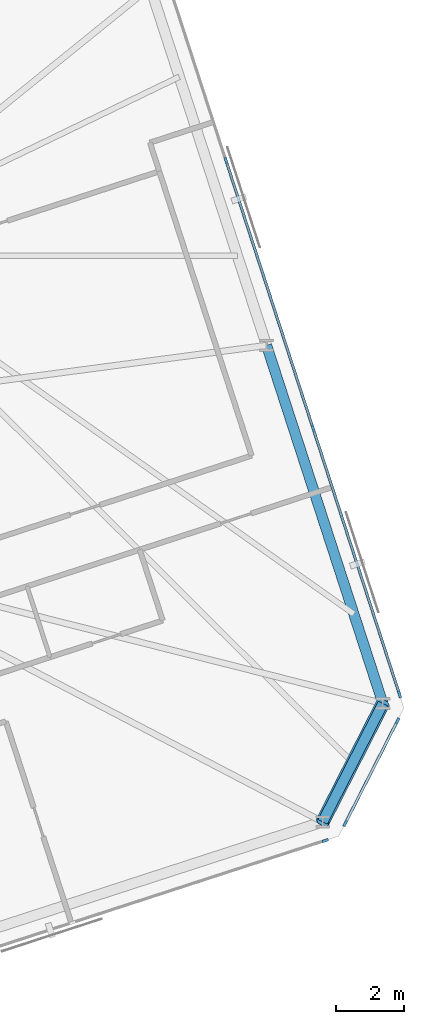
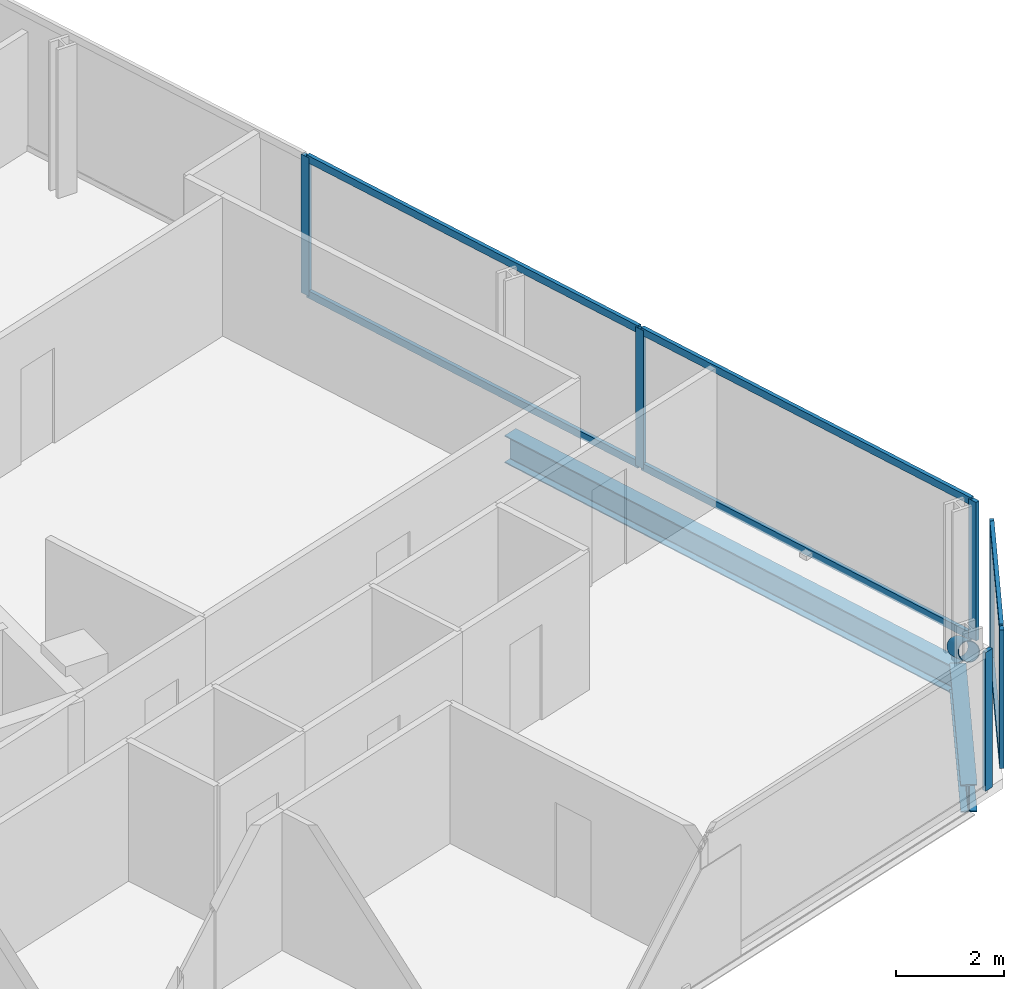
# One storey, part 11 of 20: 13 members, 2 beams, 3 elements without a shape of their own.
"""IFC4 building model written with IfcOpenShell, lengths in metres."""

from ifc_helpers import new_model, si_unit, direction, frame, origin, origin_2d, place, context, subcontext, project, spatial, rectangle, hollow_circle, i_section, extrude, material, material_profile, profile_set, type_object, element, aggregate, save


model = new_model("IFC4")

# Units and contexts
model_context = context("Model", 3, precision=1e-05, world=origin(), true_north=direction((0.0, 1.0)))
body_context = subcontext(model_context, "Body", "Model", "MODEL_VIEW")
ifc_project = project(units=[si_unit("LENGTHUNIT", "METRE"), si_unit("AREAUNIT", "SQUARE_METRE"), si_unit("VOLUMEUNIT", "CUBIC_METRE"), si_unit("PLANEANGLEUNIT", "RADIAN"), si_unit("MASSUNIT", "GRAM", prefix="KILO")], contexts=[model_context])

# Site, building, storey
site_placement = place(None, origin())
site = spatial("IfcSite", under=ifc_project, at=site_placement, CompositionType="ELEMENT")
building_placement = place(site_placement, origin())
building = spatial("IfcBuilding", under=site, at=building_placement, Name="Menara Jurai Vektor", CompositionType="ELEMENT")
storey_placement = place(building_placement, frame((0.0, 0.0, 227.64990234375)))
storey = spatial("IfcBuildingStorey", under=building, at=storey_placement, Name="L60", CompositionType="ELEMENT", Elevation=227.64990234375)

# Curtain wall, member
ifc_material_1 = material(Name="Anodised Pale Aluminium & Low-E Double Glazing", Category="aluminium")
curtain_wall_type = type_object("IfcCurtainWallType", Name="CW-BLK4", PredefinedType="NOTDEFINED", material=ifc_material_1)
curtain_wall_1_placement = place(storey_placement, origin())
curtain_wall_1 = element("IfcCurtainWall", 1, at=curtain_wall_1_placement, inside=storey, type_object=curtain_wall_type, Name="Unitised Curtain Wall L60 F01", PredefinedType="NOTDEFINED")
ifc_material_2 = material(Name="Anodised Pale Aluminium Mullion", Category="aluminium")
ifc_material_profile_1 = material_profile(ifc_material_2, rectangle(XDim=0.080078125, YDim=0.18994140625, at=origin_2d()), Name="ALU MUL 80x190")
ifc_profile_set_1 = profile_set([ifc_material_profile_1], Name="Anodised Pale Aluminium Mullion")
member_type_1 = type_object("IfcMemberType", Name="CW-BLK4-MUL", PredefinedType="MULLION", material=ifc_profile_set_1)
member_1_placement = place(storey_placement, frame((29.810546875, -12.698486328125, 0.0), z_axis=(0.0, 0.0, 1.0), x_axis=(-0.309017344167, 0.951056402641, 0.0)))
member_1 = element("IfcMember", 2, at=member_1_placement, type_object=member_type_1, Name="CW-04 mullion 8", PredefinedType="MULLION", context=body_context, shape_type="SweptSolid", body=[
    extrude(rectangle(XDim=0.080078125, YDim=0.18994140625, at=origin_2d()), origin(), (0.0, 0.0, 1.0), 3.125),
])
aggregate(curtain_wall_1, [member_1])

# Curtain wall, members
curtain_wall_2_placement = place(storey_placement, origin())
curtain_wall_2 = element("IfcCurtainWall", 3, at=curtain_wall_2_placement, inside=storey, type_object=curtain_wall_type, Name="Unitised Curtain Wall L60 F02", PredefinedType="NOTDEFINED")
member_2_placement = place(storey_placement, frame((30.400634765625, -12.194580078125, 0.0), z_axis=(0.0, 0.0, 1.0), x_axis=(-0.89100750243, 0.453988579828, 0.0)))
member_2 = element("IfcMember", 4, at=member_2_placement, type_object=member_type_1, Name="CW-04 mullion 1", PredefinedType="MULLION", context=body_context, shape_type="SweptSolid", body=[
    extrude(rectangle(XDim=0.080078125, YDim=0.18994140625, at=origin_2d()), origin(), (0.0, 0.0, 1.0), 3.125),
])
member_3_placement = place(storey_placement, frame((31.9453125, -9.16259765625, 0.0), z_axis=(0.0, 0.0, 1.0), x_axis=(-0.89100750243, 0.453988579828, 0.0)))
member_3 = element("IfcMember", 5, at=member_3_placement, type_object=member_type_1, Name="CW-04 mullion 2", PredefinedType="MULLION", context=body_context, shape_type="SweptSolid", body=[
    extrude(rectangle(XDim=0.080078125, YDim=0.18994140625, at=origin_2d()), origin(), (0.0, 0.0, 1.0), 3.125),
])

curtain_wall_3_placement = place(storey_placement, origin())
curtain_wall_3 = element("IfcCurtainWall", 6, at=curtain_wall_3_placement, inside=storey, type_object=curtain_wall_type, Name="Unitised Curtain Wall L60 F03", PredefinedType="NOTDEFINED")
member_4_placement = place(storey_placement, frame((32.00634765625, -8.388916015625, 0.0), z_axis=(0.0, 0.0, 1.0), x_axis=(-0.95105668295, -0.309016481464, 0.0)))
member_4 = element("IfcMember", 7, at=member_4_placement, type_object=member_type_1, Name="CW-04 mullion 1", PredefinedType="MULLION", context=body_context, shape_type="SweptSolid", body=[
    extrude(rectangle(XDim=0.080078125, YDim=0.18994140625, at=origin_2d()), origin(), (0.0, 0.0, 1.0), 3.125),
])
member_5_placement = place(storey_placement, frame((29.45068359375, -0.523681640625, 0.0), z_axis=(0.0, 0.0, 1.0), x_axis=(-0.95105668295, -0.309016481464, 0.0)))
member_5 = element("IfcMember", 8, at=member_5_placement, type_object=member_type_1, Name="CW-04 mullion 2", PredefinedType="MULLION", context=body_context, shape_type="SweptSolid", body=[
    extrude(rectangle(XDim=0.080078125, YDim=0.18994140625, at=origin_2d()), origin(), (0.0, 0.0, 1.0), 3.125),
])
member_6_placement = place(storey_placement, frame((26.8828125, 7.379638671875, 0.0), z_axis=(0.0, 0.0, 1.0), x_axis=(-0.95105668295, -0.309016481464, 0.0)))
member_6 = element("IfcMember", 9, at=member_6_placement, type_object=member_type_1, Name="CW-04 mullion 3", PredefinedType="MULLION", context=body_context, shape_type="SweptSolid", body=[
    extrude(rectangle(XDim=0.080078125, YDim=0.18994140625, at=origin_2d()), origin(), (0.0, 0.0, 1.0), 3.125),
])

# Member
ifc_material_3 = material(Name="Anodised Pale Aluminium Transom", Category="aluminium")
ifc_material_profile_2 = material_profile(ifc_material_3, rectangle(XDim=0.080078125, YDim=0.1650390625, at=origin_2d()), Name="ALU TRN 80x165")
ifc_profile_set_2 = profile_set([ifc_material_profile_2], Name="Anodised Pale Aluminium Transom")
member_type_2 = type_object("IfcMemberType", Name="CW-BLK4-TRN", PredefinedType="USERDEFINED", material=ifc_profile_set_2)
member_7_placement = place(storey_placement, frame((30.418701171875, -12.158935546875, 0.0400390625), z_axis=(0.453989617444, 0.89100697374, 0.0), x_axis=(-0.89100697374, 0.453989617444, 0.0)))
member_7 = element("IfcMember", 10, at=member_7_placement, type_object=member_type_2, Name="CW-04 transom 1.1", ObjectType="TRANSOM", PredefinedType="USERDEFINED", context=body_context, shape_type="SweptSolid", body=[
    extrude(rectangle(XDim=0.080078125, YDim=0.1650390625, at=origin_2d()), origin(), (0.0, 0.0, 1.0), 3.32275390625),
])

member_8_placement = place(storey_placement, frame((30.418701171875, -12.158935546875, 3.085205078125), z_axis=(0.453989617444, 0.89100697374, 0.0), x_axis=(-0.89100697374, 0.453989617444, 0.0)))
member_8 = element("IfcMember", 11, at=member_8_placement, type_object=member_type_2, Name="CW-04 transom 1.2", ObjectType="TRANSOM", PredefinedType="USERDEFINED", context=body_context, shape_type="SweptSolid", body=[
    extrude(rectangle(XDim=0.080078125, YDim=0.1650390625, at=origin_2d()), origin(), (0.0, 0.0, 1.0), 3.32275390625),
])

aggregate(curtain_wall_2, [member_2, member_3, member_7, member_8])

member_9_placement = place(storey_placement, frame((31.993896484375, -8.350830078125, 0.0400390625), z_axis=(-0.309010577384, 0.951058601278, 0.0), x_axis=(-0.951058601278, -0.309010577384, 0.0)))
member_9 = element("IfcMember", 12, at=member_9_placement, type_object=member_type_2, Name="CW-04 transom 1.1", ObjectType="TRANSOM", PredefinedType="USERDEFINED", context=body_context, shape_type="SweptSolid", body=[
    extrude(rectangle(XDim=0.080078125, YDim=0.1650390625, at=origin_2d()), origin(), (0.0, 0.0, 1.0), 8.18994140625),
])

member_10_placement = place(storey_placement, frame((31.993896484375, -8.350830078125, 3.085205078125), z_axis=(-0.309010577384, 0.951058601278, 0.0), x_axis=(-0.951058601278, -0.309010577384, 0.0)))
member_10 = element("IfcMember", 13, at=member_10_placement, type_object=member_type_2, Name="CW-04 transom 1.2", ObjectType="TRANSOM", PredefinedType="USERDEFINED", context=body_context, shape_type="SweptSolid", body=[
    extrude(rectangle(XDim=0.080078125, YDim=0.1650390625, at=origin_2d()), origin(), (0.0, 0.0, 1.0), 8.18994140625),
])

member_11_placement = place(storey_placement, frame((29.438232421875, -0.485595703125, 0.0400390625), z_axis=(-0.309018994408, 0.951055866443, 0.0), x_axis=(-0.951055866443, -0.309018994408, 0.0)))
member_11 = element("IfcMember", 14, at=member_11_placement, type_object=member_type_2, Name="CW-04 transom 2.1", ObjectType="TRANSOM", PredefinedType="USERDEFINED", context=body_context, shape_type="SweptSolid", body=[
    extrude(rectangle(XDim=0.080078125, YDim=0.1650390625, at=origin_2d()), origin(), (0.0, 0.0, 1.0), 8.22998046875),
])

member_12_placement = place(storey_placement, frame((29.438232421875, -0.485595703125, 3.085205078125), z_axis=(-0.309018994408, 0.951055866443, 0.0), x_axis=(-0.951055866443, -0.309018994408, 0.0)))
member_12 = element("IfcMember", 15, at=member_12_placement, type_object=member_type_2, Name="CW-04 transom 2.2", ObjectType="TRANSOM", PredefinedType="USERDEFINED", context=body_context, shape_type="SweptSolid", body=[
    extrude(rectangle(XDim=0.080078125, YDim=0.1650390625, at=origin_2d()), origin(), (0.0, 0.0, 1.0), 8.22998046875),
])

aggregate(curtain_wall_3, [member_4, member_5, member_6, member_9, member_10, member_11, member_12])

ifc_material_4 = material(Name="Steel S460", Category="steel")
ifc_material_profile_3 = material_profile(ifc_material_4, hollow_circle(Radius=0.203125, WallThickness=0.01611328125, at=origin_2d()), Name="CHS 406.4x16")
ifc_profile_set_3 = profile_set([ifc_material_profile_3], Name="Steel S460")
member_type_3 = type_object("IfcMemberType", Name="STR-BR-406", PredefinedType="BRACE", material=ifc_profile_set_3)
member_13_placement = place(storey_placement, frame((31.513427734375, -8.652099609375, 0.150146484375), z_axis=(-0.377239531316, -0.740351985533, 0.55638949804), x_axis=(0.891000997215, -0.454001346872, 0.0)))
element("IfcMember", 16, at=member_13_placement, inside=storey, type_object=member_type_3, Name="Exoskeleton Corner Brace L60-1", PredefinedType="BRACE", context=body_context, shape_type="SweptSolid", body=[
    extrude(hollow_circle(Radius=0.203125, WallThickness=0.01611328125, at=origin_2d()), origin(), (0.0, 0.0, 1.0), 4.718017578125),
])

# Beams
ifc_material_5 = material(Name="Steel S355", Category="steel")
ifc_material_profile_4 = material_profile(ifc_material_5, i_section(OverallWidth=0.306884765625, OverallDepth=0.6201171875, WebThickness=0.013916015625, FlangeThickness=0.02392578125, FilletRadius=0.01708984375, at=origin_2d()), Name="UKB 610x305x179")
ifc_profile_set_4 = profile_set([ifc_material_profile_4], Name="Steel S355")
beam_type = type_object("IfcBeamType", Name="STR-SP-610", PredefinedType="SPANDREL", material=ifc_profile_set_4)
beam_1_placement = place(storey_placement, frame((29.7333984375, -12.14501953125, -0.534912109375), z_axis=(0.454050785633, 0.890975804423, 0.0), x_axis=(-0.890975804423, 0.454050785633, 0.0)))
element("IfcBeam", 17, at=beam_1_placement, inside=storey, type_object=beam_type, Name="Exoskeleton Spandrel Beam L60-06", PredefinedType="SPANDREL", context=body_context, shape_type="SweptSolid", body=[
    extrude(i_section(OverallWidth=0.306884765625, OverallDepth=0.6201171875, WebThickness=0.013916015625, FlangeThickness=0.02392578125, FilletRadius=0.01708984375, at=origin_2d()), origin(), (0.0, 0.0, 1.0), 3.92041015625),
])
beam_2_placement = place(storey_placement, frame((31.513427734375, -8.652099609375, -0.534912109375), z_axis=(-0.309012092614, 0.95105810896, 0.0), x_axis=(-0.95105810896, -0.309012092614, 0.0)))
element("IfcBeam", 18, at=beam_2_placement, inside=storey, type_object=beam_type, Name="Exoskeleton Spandrel Beam L60-07", PredefinedType="SPANDREL", context=body_context, shape_type="SweptSolid", body=[
    extrude(i_section(OverallWidth=0.306884765625, OverallDepth=0.6201171875, WebThickness=0.013916015625, FlangeThickness=0.02392578125, FilletRadius=0.01708984375, at=origin_2d()), origin(), (0.0, 0.0, 1.0), 11.11865234375),
])

save(model, "model.ifc")
